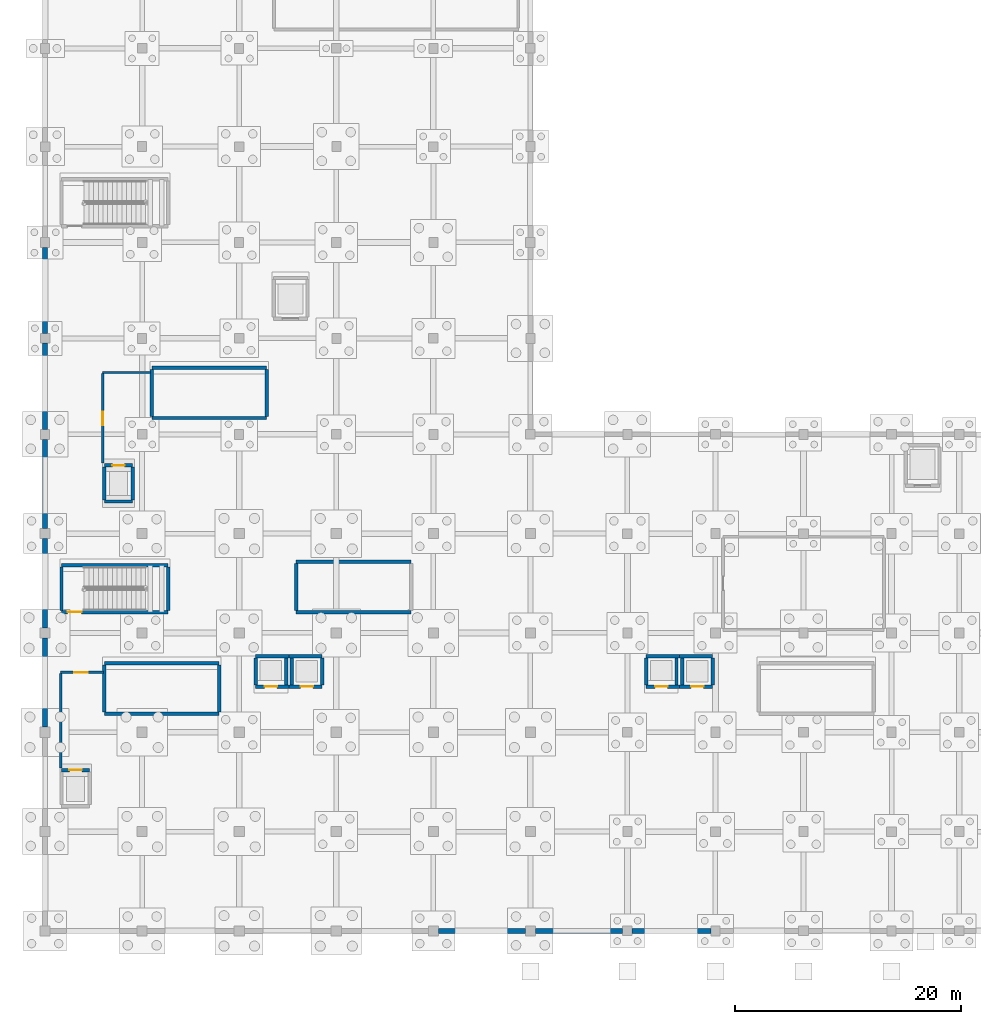
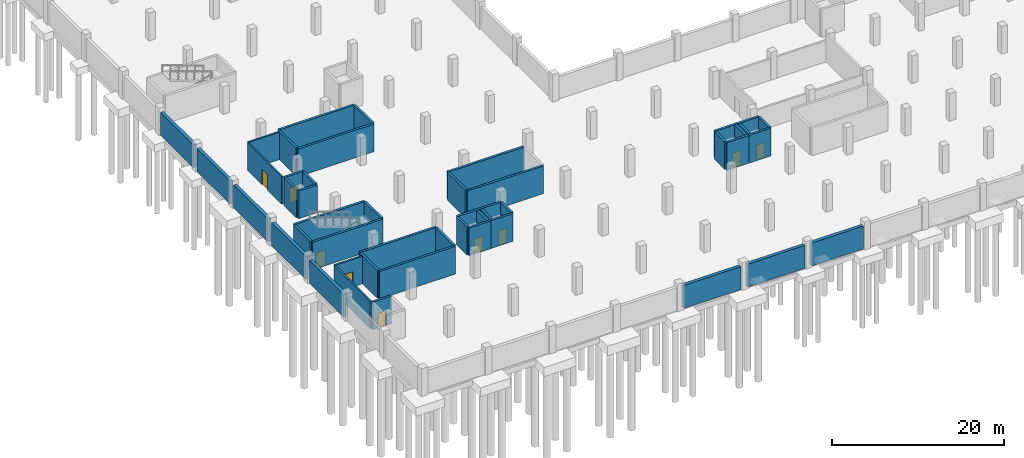
# One storey, part 14 of 28: 48 walls, 9 doors, 9 openings.
"""IFC4 building model written with IfcOpenShell, lengths in metres."""

import ifcopenshell
import ifcopenshell.guid

model = None  # the IFC model being written
_history = None  # IfcOwnerHistory: only IFC2X3 demands one
_inside = {}  # id of a spatial element -> (the spatial element, [elements in it])
_under = {}  # id of a project, library or spatial element -> (it, [spatial elements below it])
_declared = {}  # id of a project -> (the project, [libraries it declares])
_typed = {}  # id of a type object -> (the type object, [elements of that type])
_made_of = {}  # id of a material, layer set ... -> (it, [elements and type objects made of it])


def new_model(schema):
    """Start an empty IFC model of exactly this schema.

    Asked for "IFC4X3", IfcOpenShell would pick the latest addendum, in which some entities
    have other attributes; the version numbers below select the first issue.
    IFC2X3 requires an IfcOwnerHistory on every rooted entity: one is made here for all.
    """
    global model, _history
    if schema == "IFC4X3":
        model = ifcopenshell.file(schema_version=(4, 3, 0, 0))
    else:
        model = ifcopenshell.file(schema=schema)
    _inside.clear()
    _under.clear()
    _declared.clear()
    _typed.clear()
    _made_of.clear()
    _history = None
    if model.schema == "IFC2X3":
        org = make("IfcOrganization", Name="unknown")
        user = make(
            "IfcPersonAndOrganization",
            ThePerson=make("IfcPerson", FamilyName="unknown"),
            TheOrganization=org,
        )
        app = make(
            "IfcApplication",
            ApplicationDeveloper=org,
            Version="unknown",
            ApplicationFullName="unknown",
            ApplicationIdentifier="unknown",
        )
        _history = make(
            "IfcOwnerHistory",
            OwningUser=user,
            OwningApplication=app,
            ChangeAction="ADDED",
            CreationDate=0,
        )
    return model


def make(cls, **values):
    """One entity of the class cls with the attributes given. An attribute that is None is left unset."""
    return model.create_entity(
        cls, **{name: value for name, value in values.items() if value is not None}
    )


def rooted(cls, **values):
    """An entity with a GlobalId (a new one), such as an element, a storey or a relation."""
    return make(cls, GlobalId=ifcopenshell.guid.new(), OwnerHistory=_history, **values)


def si_unit(unit_type, name, prefix=None):
    """IfcSIUnit, for example si_unit("LENGTHUNIT", "METRE", prefix="MILLI")."""
    return make("IfcSIUnit", UnitType=unit_type, Prefix=prefix, Name=name)


def assignment(units):
    """IfcUnitAssignment: the units of a project."""
    return None if units is None else make("IfcUnitAssignment", Units=units)


def point(xyz):
    """IfcCartesianPoint."""
    return None if xyz is None else make("IfcCartesianPoint", Coordinates=xyz)


def direction(xyz):
    """IfcDirection."""
    return None if xyz is None else make("IfcDirection", DirectionRatios=xyz)


def frame(location, z_axis=None, x_axis=None):
    """IfcAxis2Placement3D, a coordinate frame: its origin and axes. An axis left out is left unset."""
    return make(
        "IfcAxis2Placement3D",
        Location=point(location),
        Axis=direction(z_axis),
        RefDirection=direction(x_axis),
    )


def frame_2d(location, x_axis=None):
    """IfcAxis2Placement2D, a coordinate frame in the plane: its origin and x axis."""
    return make(
        "IfcAxis2Placement2D", Location=point(location), RefDirection=direction(x_axis)
    )


def origin():
    """The frame at (0, 0, 0) with its axes left unset."""
    return frame((0.0, 0.0, 0.0))


def place(relative_to, where):
    """IfcLocalPlacement: puts the frame where relative to a parent placement (None: the world)."""
    return make(
        "IfcLocalPlacement", PlacementRelTo=relative_to, RelativePlacement=where
    )


def context(
    kind, dimensions, precision=None, world=None, true_north=None, identifier=None
):
    """IfcGeometricRepresentationContext, for example the 3D "Model" context."""
    return make(
        "IfcGeometricRepresentationContext",
        ContextIdentifier=identifier,
        ContextType=kind,
        CoordinateSpaceDimension=dimensions,
        Precision=precision,
        WorldCoordinateSystem=world,
        TrueNorth=true_north,
    )


def subcontext(parent, identifier, kind, view, scale=None):
    """IfcGeometricRepresentationSubContext, for example "Body" below "Model"."""
    return make(
        "IfcGeometricRepresentationSubContext",
        ContextIdentifier=identifier,
        ContextType=kind,
        ParentContext=parent,
        TargetScale=scale,
        TargetView=view,
    )


def project(units=None, contexts=None):
    """IfcProject with its units and contexts."""
    return rooted(
        "IfcProject",
        Name="project",
        RepresentationContexts=contexts,
        UnitsInContext=assignment(units),
    )


def spatial(cls, under=None, at=None, **own):
    """A site, building, storey or space (cls), placed at a placement, below another one or the project."""
    s = rooted(cls, ObjectPlacement=at, **own)
    if under is not None:
        _under.setdefault(under.id(), (under, []))[1].append(s)
    return s


def profile(cls, at=None, kind="AREA", **sizes):
    """A parametric profile (cls). Its sizes go by their IFC names, for example OverallWidth=200.0."""
    return make(cls, ProfileType=kind, Position=at, **sizes)


def rectangle(**sizes):
    """IfcRectangleProfileDef."""
    return profile("IfcRectangleProfileDef", **sizes)


def extrude(swept, where, along, depth):
    """IfcExtrudedAreaSolid: the profile swept, set in the frame where, extruded along a direction by depth."""
    return make(
        "IfcExtrudedAreaSolid",
        SweptArea=swept,
        Position=where,
        ExtrudedDirection=direction(along),
        Depth=depth,
    )


def shape(context_of_items, identifier, shape_type, items):
    """IfcShapeRepresentation: the items that make up one representation, for example the "Body"."""
    return make(
        "IfcShapeRepresentation",
        ContextOfItems=context_of_items,
        RepresentationIdentifier=identifier,
        RepresentationType=shape_type,
        Items=items,
    )


def material(Name=None, Category=None):
    """IfcMaterial."""
    return make("IfcMaterial", Name=Name, Category=Category)


def layer(
    of_material, thickness, ventilated=None, Name=None, Category=None, Priority=None
):
    """IfcMaterialLayer: one layer of a wall or slab, of a material (None: an air gap)."""
    return make(
        "IfcMaterialLayer",
        Material=of_material,
        LayerThickness=thickness,
        IsVentilated=ventilated,
        Name=Name,
        Category=Category,
        Priority=Priority,
    )


def layer_set(layers, Name=None):
    """IfcMaterialLayerSet."""
    return make("IfcMaterialLayerSet", MaterialLayers=layers, LayerSetName=Name)


def made_of(thing, what):
    """Note that an element or type object is made of a material, layer set ...; save() writes the relation."""
    if what is not None:
        _made_of.setdefault(what.id(), (what, []))[1].append(thing)
    return thing


def type_object(cls, material=None, **own):
    """A type object (cls), such as IfcWallType, which elements share."""
    return made_of(rooted(cls, **own), material)


def element(
    cls,
    number,
    at=None,
    inside=None,
    cuts=None,
    type_object=None,
    material=None,
    context=None,
    identifier="Body",
    shape_type=None,
    held_by="IfcProductDefinitionShape",
    body=None,
    shapes=None,
    **own,
):
    """One element of the class cls, such as IfcWall. Its Tag is "e" and its number.

    at: its placement. inside: the storey or other place that contains it. cuts: it is an
    opening in that element (IfcRelVoidsElement). A single representation is given by context,
    identifier, shape_type and body (its items); several are given by shapes. held_by: the class
    of the entity that holds the representations. save() writes the other relations.
    """
    e = rooted(cls, Tag="e%d" % number, ObjectPlacement=at, **own)
    if body is not None:
        shapes = [shape(context, identifier, shape_type, body)]
    if shapes is not None:
        e.Representation = make(held_by, Representations=shapes)
    if inside is not None:
        _inside.setdefault(inside.id(), (inside, []))[1].append(e)
    if cuts is not None:
        rooted(
            "IfcRelVoidsElement", RelatingBuildingElement=cuts, RelatedOpeningElement=e
        )
    if type_object is not None:
        _typed.setdefault(type_object.id(), (type_object, []))[1].append(e)
    return made_of(e, material)


def fill(opening, filler):
    """IfcRelFillsElement: the door or window that sits in an opening."""
    return rooted(
        "IfcRelFillsElement",
        RelatingOpeningElement=opening,
        RelatedBuildingElement=filler,
    )


def aggregate(whole, parts):
    """IfcRelAggregates: a whole, such as a stair, and the parts it consists of."""
    return rooted("IfcRelAggregates", RelatingObject=whole, RelatedObjects=parts)


def save(model, path):
    """Write the relations noted so far, then the file.

    IfcRelAggregates (storeys below a building ...), IfcRelContainedInSpatialStructure (elements
    in a storey), IfcRelDefinesByType, IfcRelAssociatesMaterial and IfcRelDeclares: one each for
    every whole, place, type object, material and project.
    """
    for whole, parts in _under.values():
        aggregate(whole, parts)
    for where, things in _inside.values():
        rooted(
            "IfcRelContainedInSpatialStructure",
            RelatedElements=things,
            RelatingStructure=where,
        )
    for kind, things in _typed.values():
        rooted("IfcRelDefinesByType", RelatedObjects=things, RelatingType=kind)
    for what, things in _made_of.values():
        rooted("IfcRelAssociatesMaterial", RelatedObjects=things, RelatingMaterial=what)
    for by, libraries in _declared.values():
        rooted("IfcRelDeclares", RelatingContext=by, RelatedDefinitions=libraries)
    model.write(path)


model = new_model("IFC4")

# Units and contexts
model_context = context("Model", 3, precision=1e-05, world=origin(), true_north=direction((0.0, 1.0)))
body_context = subcontext(model_context, "Body", "Model", "MODEL_VIEW")
ifc_project = project(units=[si_unit("LENGTHUNIT", "METRE"), si_unit("AREAUNIT", "SQUARE_METRE"), si_unit("VOLUMEUNIT", "CUBIC_METRE"), si_unit("PLANEANGLEUNIT", "RADIAN"), si_unit("MASSUNIT", "GRAM", prefix="KILO")], contexts=[model_context])

# Site, building, storey
site_placement = place(None, origin())
site = spatial("IfcSite", under=ifc_project, at=site_placement, CompositionType="ELEMENT")
building_placement = place(site_placement, origin())
building = spatial("IfcBuilding", under=site, at=building_placement, Name="Varnakota Cinema and Media Centre", CompositionType="ELEMENT")
storey_placement = place(building_placement, frame((0.0, 0.0, -4.199951171875)))
storey = spatial("IfcBuildingStorey", under=building, at=storey_placement, Name="B1", CompositionType="ELEMENT", Elevation=-4.199951171875)

# Wall
ifc_material_1 = material(Name="Autoclaved aerated concrete blockwork", Category="masonry")
ifc_layer_1 = layer(ifc_material_1, 0.22998046875)
ifc_layer_set_1 = layer_set([ifc_layer_1], Name="Autoclaved aerated concrete blockwork")
wall_type_1 = type_object("IfcWallType", Name="W-BOX-230", PredefinedType="PARTITIONING", material=ifc_layer_set_1)
wall_1_placement = place(storey_placement, frame((1.385009765625, 14.449951171875, 0.0), z_axis=(0.0, 0.0, 1.0), x_axis=(0.0, 1.0, 0.0)))
element("IfcWall", 1, at=wall_1_placement, inside=storey, type_object=wall_type_1, Name="B1 RWALL-RM-B1-FF-1 W wall", PredefinedType="PARTITIONING", context=body_context, shape_type="SweptSolid", body=[
    extrude(rectangle(XDim=8.35009765625, YDim=0.22998046875, at=frame_2d((4.175048828125, 0.0))), origin(), (0.0, 0.0, 1.0), 3.89990234375),
])

# Wall, opening, door
wall_2_placement = place(storey_placement, frame((1.385009765625, 22.9150390625, 0.0), z_axis=(0.0, 0.0, 1.0), x_axis=(1.0, 0.0, 0.0)))
wall_2 = element("IfcWall", 2, at=wall_2_placement, inside=storey, type_object=wall_type_1, Name="B1 RWALL-RM-B1-FF-1 N wall", PredefinedType="PARTITIONING", context=body_context, shape_type="SweptSolid", body=[
    extrude(rectangle(XDim=3.780029296875, YDim=0.22998046875, at=frame_2d((1.89013671875, 0.0))), origin(), (0.0, 0.0, 1.0), 3.89990234375),
])
opening_1_placement = place(wall_2_placement, frame((1.215087890625, 0.0, 0.0)))
opening_1 = element("IfcOpeningElement", 3, at=opening_1_placement, cuts=wall_2, Name="Opening D-001", PredefinedType="OPENING", context=body_context, shape_type="SweptSolid", body=[
    extrude(rectangle(XDim=1.199951171875, YDim=2.14990234375, at=frame_2d((0.60009765625, 1.074951171875))), frame((0.0, 0.114990234375, 0.0), z_axis=(0.0, -1.0, 0.0), x_axis=(1.0, 0.0, 0.0)), (0.0, 0.0, 1.0), 0.22998046875),
])
ifc_material_2 = material(Name="Thermally broken anodised aluminium AW-6063", Category="aluminium")
door_type_1 = type_object("IfcDoorType", Name="DR-STD-1200x2150", OperationType="NOTDEFINED", PredefinedType="DOOR", material=ifc_material_2)
door_1_placement = place(opening_1_placement, origin())
door_1 = element("IfcDoor", 4, at=door_1_placement, inside=storey, type_object=door_type_1, Name="B1 door D-001", OperationType="SINGLE_SWING_LEFT", OverallHeight=2.14990234375, OverallWidth=1.199951171875, PredefinedType="DOOR", context=body_context, shape_type="SweptSolid", body=[
    extrude(rectangle(XDim=1.199951171875, YDim=2.14990234375, at=frame_2d((0.60009765625, 1.074951171875))), frame((0.0, 0.02490234375, 0.0), z_axis=(0.0, -1.0, 0.0), x_axis=(1.0, 0.0, 0.0)), (0.0, 0.0, 1.0), 0.050048828125),
])
fill(opening_1, door_1)

# Walls
ifc_material_3 = material(Name="Concrete M40", Category="concrete")
ifc_layer_2 = layer(ifc_material_3, 0.300048828125)
ifc_layer_set_2 = layer_set([ifc_layer_2], Name="Concrete M40")
wall_type_2 = type_object("IfcWallType", Name="W-CORE-300", PredefinedType="SHEAR", material=ifc_layer_set_2)
wall_3_placement = place(storey_placement, frame((15.429931640625, 19.25, 0.0), z_axis=(0.0, 0.0, 1.0), x_axis=(-1.0, 0.0, 0.0)))
element("IfcWall", 5, at=wall_3_placement, inside=storey, type_object=wall_type_2, Name="B1 CWALL-ST-01-B1 S wall", PredefinedType="SHEAR", context=body_context, shape_type="SweptSolid", body=[
    extrude(rectangle(XDim=10.179931640625, YDim=0.300048828125, at=frame_2d((5.08984375, 0.0))), origin(), (0.0, 0.0, 1.0), 3.919921875),
])
wall_4_placement = place(storey_placement, frame((5.25, 19.39990234375, 0.0), z_axis=(0.0, 0.0, 1.0), x_axis=(0.0, 1.0, 0.0)))
element("IfcWall", 6, at=wall_4_placement, inside=storey, type_object=wall_type_2, Name="B1 CWALL-ST-01-B1 W wall", PredefinedType="SHEAR", context=body_context, shape_type="SweptSolid", body=[
    extrude(rectangle(XDim=4.150146484375, YDim=0.300048828125, at=frame_2d((2.0751953125, 0.0))), origin(), (0.0, 0.0, 1.0), 3.919921875),
])
wall_5_placement = place(storey_placement, frame((5.25, 23.699951171875, 0.0), z_axis=(0.0, 0.0, 1.0), x_axis=(1.0, 0.0, 0.0)))
element("IfcWall", 7, at=wall_5_placement, inside=storey, type_object=wall_type_2, Name="B1 CWALL-ST-01-B1 N wall", PredefinedType="SHEAR", context=body_context, shape_type="SweptSolid", body=[
    extrude(rectangle(XDim=10.179931640625, YDim=0.300048828125, at=frame_2d((5.08984375, 0.0))), origin(), (0.0, 0.0, 1.0), 3.919921875),
])
wall_6_placement = place(storey_placement, frame((15.429931640625, 23.550048828125, 0.0), z_axis=(0.0, 0.0, 1.0), x_axis=(0.0, -1.0, 0.0)))
element("IfcWall", 8, at=wall_6_placement, inside=storey, type_object=wall_type_2, Name="B1 CWALL-ST-01-B1 E wall", PredefinedType="SHEAR", context=body_context, shape_type="SweptSolid", body=[
    extrude(rectangle(XDim=4.150146484375, YDim=0.300048828125, at=frame_2d((2.0751953125, 0.0))), origin(), (0.0, 0.0, 1.0), 3.919921875),
])
wall_7_placement = place(storey_placement, frame((32.429931640625, 28.25, 0.0), z_axis=(0.0, 0.0, 1.0), x_axis=(-1.0, 0.0, 0.0)))
element("IfcWall", 9, at=wall_7_placement, inside=storey, type_object=wall_type_2, Name="B1 CWALL-ST-02-B1 S wall", PredefinedType="SHEAR", context=body_context, shape_type="SweptSolid", body=[
    extrude(rectangle(XDim=10.179931640625, YDim=0.300048828125, at=frame_2d((5.08984375, 0.0))), origin(), (0.0, 0.0, 1.0), 3.919921875),
])
wall_8_placement = place(storey_placement, frame((22.25, 28.39990234375, 0.0), z_axis=(0.0, 0.0, 1.0), x_axis=(0.0, 1.0, 0.0)))
element("IfcWall", 10, at=wall_8_placement, inside=storey, type_object=wall_type_2, Name="B1 CWALL-ST-02-B1 W wall", PredefinedType="SHEAR", context=body_context, shape_type="SweptSolid", body=[
    extrude(rectangle(XDim=4.150146484375, YDim=0.300048828125, at=frame_2d((2.0751953125, 0.0))), origin(), (0.0, 0.0, 1.0), 3.919921875),
])
for number, where, z_axis, x_axis, name in (
    (11, (22.25, 32.699951171875, 0.0), (0.0, 0.0, 1.0), (1.0, 0.0, 0.0), "B1 CWALL-ST-02-B1 N wall"),
    (12, (19.6298828125, 45.449951171875, 0.0), (0.0, 0.0, 1.0), (-1.0, 0.0, 0.0), "B1 CWALL-ST-03-B1 S wall"),
):
    element("IfcWall", number, at=place(storey_placement, frame(where, z_axis=z_axis, x_axis=x_axis)), inside=storey, type_object=wall_type_2, Name=name, PredefinedType="SHEAR", context=body_context, shape_type="SweptSolid", body=[
        extrude(rectangle(XDim=10.179931640625, YDim=0.300048828125, at=frame_2d((5.08984375, 0.0))), origin(), (0.0, 0.0, 1.0), 3.919921875),
    ])
wall_9_placement = place(storey_placement, frame((9.449951171875, 45.60009765625, 0.0), z_axis=(0.0, 0.0, 1.0), x_axis=(0.0, 1.0, 0.0)))
element("IfcWall", 13, at=wall_9_placement, inside=storey, type_object=wall_type_2, Name="B1 CWALL-ST-03-B1 W wall", PredefinedType="SHEAR", context=body_context, shape_type="SweptSolid", body=[
    extrude(rectangle(XDim=4.14990234375, YDim=0.300048828125, at=frame_2d((2.074951171875, 0.0))), origin(), (0.0, 0.0, 1.0), 3.919921875),
])
wall_10_placement = place(storey_placement, frame((9.449951171875, 49.89990234375, 0.0), z_axis=(0.0, 0.0, 1.0), x_axis=(1.0, 0.0, 0.0)))
element("IfcWall", 14, at=wall_10_placement, inside=storey, type_object=wall_type_2, Name="B1 CWALL-ST-03-B1 N wall", PredefinedType="SHEAR", context=body_context, shape_type="SweptSolid", body=[
    extrude(rectangle(XDim=10.179931640625, YDim=0.300048828125, at=frame_2d((5.08984375, 0.0))), origin(), (0.0, 0.0, 1.0), 3.919921875),
])
wall_11_placement = place(storey_placement, frame((19.6298828125, 49.75, 0.0), z_axis=(0.0, 0.0, 1.0), x_axis=(0.0, -1.0, 0.0)))
element("IfcWall", 15, at=wall_11_placement, inside=storey, type_object=wall_type_2, Name="B1 CWALL-ST-03-B1 E wall", PredefinedType="SHEAR", context=body_context, shape_type="SweptSolid", body=[
    extrude(rectangle(XDim=4.14990234375, YDim=0.300048828125, at=frame_2d((2.074951171875, 0.0))), origin(), (0.0, 0.0, 1.0), 3.919921875),
])

# Wall, opening, door
wall_12_placement = place(storey_placement, frame((10.909912109375, 28.25, 0.0), z_axis=(0.0, 0.0, 1.0), x_axis=(-1.0, 0.0, 0.0)))
wall_12 = element("IfcWall", 16, at=wall_12_placement, inside=storey, type_object=wall_type_2, Name="B1 CWALL-ST-B1-B1 S wall", PredefinedType="SHEAR", context=body_context, shape_type="SweptSolid", body=[
    extrude(rectangle(XDim=9.4599609375, YDim=0.300048828125, at=frame_2d((4.72998046875, 0.0))), origin(), (0.0, 0.0, 1.0), 3.919921875),
])
opening_2_placement = place(wall_12_placement, frame((7.66748046875, 0.0, 0.0)))
opening_2 = element("IfcOpeningElement", 17, at=opening_2_placement, cuts=wall_12, Name="Opening SD-B1", PredefinedType="OPENING", context=body_context, shape_type="SweptSolid", body=[
    extrude(rectangle(XDim=1.25, YDim=2.14990234375, at=frame_2d((0.625, 1.074951171875))), frame((0.0, 0.14990234375, 0.0), z_axis=(0.0, -1.0, 0.0), x_axis=(1.0, 0.0, 0.0)), (0.0, 0.0, 1.0), 0.300048828125),
])
ifc_material_4 = material(Name="Thermally broken anodised aluminium AW-6063", Category="aluminium")
door_type_2 = type_object("IfcDoorType", Name="DR-STAIR-1250x2150", OperationType="NOTDEFINED", PredefinedType="DOOR", material=ifc_material_4)
door_2_placement = place(opening_2_placement, origin())
door_2 = element("IfcDoor", 18, at=door_2_placement, inside=storey, type_object=door_type_2, Name="B1 door SD-B1", OperationType="SINGLE_SWING_RIGHT", OverallHeight=2.14990234375, OverallWidth=1.25, PredefinedType="DOOR", context=body_context, shape_type="SweptSolid", body=[
    extrude(rectangle(XDim=1.25, YDim=2.14990234375, at=frame_2d((0.625, 1.074951171875))), frame((0.0, 0.02490234375, 0.0), z_axis=(0.0, -1.0, 0.0), x_axis=(1.0, 0.0, 0.0)), (0.0, 0.0, 1.0), 0.050048828125),
])
fill(opening_2, door_2)

# Walls
wall_13_placement = place(storey_placement, frame((1.449951171875, 28.39990234375, 0.0), z_axis=(0.0, 0.0, 1.0), x_axis=(0.0, 1.0, 0.0)))
element("IfcWall", 19, at=wall_13_placement, inside=storey, type_object=wall_type_2, Name="B1 CWALL-ST-B1-B1 W wall", PredefinedType="SHEAR", context=body_context, shape_type="SweptSolid", body=[
    extrude(rectangle(XDim=3.85009765625, YDim=0.300048828125, at=frame_2d((1.925048828125, 0.0))), origin(), (0.0, 0.0, 1.0), 3.919921875),
])
wall_14_placement = place(storey_placement, frame((1.449951171875, 32.39990234375, 0.0), z_axis=(0.0, 0.0, 1.0), x_axis=(1.0, 0.0, 0.0)))
element("IfcWall", 20, at=wall_14_placement, inside=storey, type_object=wall_type_2, Name="B1 CWALL-ST-B1-B1 N wall", PredefinedType="SHEAR", context=body_context, shape_type="SweptSolid", body=[
    extrude(rectangle(XDim=9.4599609375, YDim=0.300048828125, at=frame_2d((4.72998046875, 0.0))), origin(), (0.0, 0.0, 1.0), 3.919921875),
])
wall_15_placement = place(storey_placement, frame((10.909912109375, 32.25, 0.0), z_axis=(0.0, 0.0, 1.0), x_axis=(0.0, -1.0, 0.0)))
element("IfcWall", 21, at=wall_15_placement, inside=storey, type_object=wall_type_2, Name="B1 CWALL-ST-B1-B1 E wall", PredefinedType="SHEAR", context=body_context, shape_type="SweptSolid", body=[
    extrude(rectangle(XDim=3.85009765625, YDim=0.300048828125, at=frame_2d((1.925048828125, 0.0))), origin(), (0.0, 0.0, 1.0), 3.919921875),
])

# Wall, opening, door
wall_16_placement = place(storey_placement, frame((1.449951171875, 14.25, 0.0), z_axis=(0.0, 0.0, 1.0), x_axis=(1.0, 0.0, 0.0)))
wall_16 = element("IfcWall", 22, at=wall_16_placement, inside=storey, type_object=wall_type_2, Name="B1 LSHAFT-LF-01-B1 N wall", PredefinedType="SHEAR", context=body_context, shape_type="SweptSolid", body=[
    extrude(rectangle(XDim=2.5, YDim=0.300048828125, at=frame_2d((1.25, 0.0))), origin(), (0.0, 0.0, 1.0), 3.919921875),
])
opening_3_placement = place(wall_16_placement, frame((0.699951171875, 0.0, 0.0)))
opening_3 = element("IfcOpeningElement", 23, at=opening_3_placement, cuts=wall_16, Name="Opening LD-01", PredefinedType="OPENING", context=body_context, shape_type="SweptSolid", body=[
    extrude(rectangle(XDim=1.10009765625, YDim=2.10009765625, at=frame_2d((0.550048828125, 1.050048828125))), frame((0.0, 0.14990234375, 0.0), z_axis=(0.0, -1.0, 0.0), x_axis=(1.0, 0.0, 0.0)), (0.0, 0.0, 1.0), 0.300048828125),
])
ifc_material_5 = material(Name="Thermally broken anodised aluminium AW-6063", Category="aluminium")
door_type_3 = type_object("IfcDoorType", Name="DR-LIFT-1100x2100", OperationType="SLIDING_TO_LEFT", PredefinedType="DOOR", material=ifc_material_5)
door_3_placement = place(opening_3_placement, origin())
door_3 = element("IfcDoor", 24, at=door_3_placement, inside=storey, type_object=door_type_3, Name="B1 door LD-01", OperationType="SLIDING_TO_LEFT", OverallHeight=2.10009765625, OverallWidth=1.10009765625, PredefinedType="DOOR", context=body_context, shape_type="SweptSolid", body=[
    extrude(rectangle(XDim=1.10009765625, YDim=2.10009765625, at=frame_2d((0.550048828125, 1.050048828125))), frame((0.0, 0.02490234375, 0.0), z_axis=(0.0, -1.0, 0.0), x_axis=(1.0, 0.0, 0.0)), (0.0, 0.0, 1.0), 0.050048828125),
])
fill(opening_3, door_3)

# Walls
wall_17_placement = place(storey_placement, frame((7.75, 38.050048828125, 0.0), z_axis=(0.0, 0.0, 1.0), x_axis=(-1.0, 0.0, 0.0)))
element("IfcWall", 25, at=wall_17_placement, inside=storey, type_object=wall_type_2, Name="B1 LSHAFT-LF-02-B1 S wall", PredefinedType="SHEAR", context=body_context, shape_type="SweptSolid", body=[
    extrude(rectangle(XDim=2.5, YDim=0.300048828125, at=frame_2d((1.25, 0.0))), origin(), (0.0, 0.0, 1.0), 3.919921875),
])
wall_18_placement = place(storey_placement, frame((5.25, 38.199951171875, 0.0), z_axis=(0.0, 0.0, 1.0), x_axis=(0.0, 1.0, 0.0)))
element("IfcWall", 26, at=wall_18_placement, inside=storey, type_object=wall_type_2, Name="B1 LSHAFT-LF-02-B1 W wall", PredefinedType="SHEAR", context=body_context, shape_type="SweptSolid", body=[
    extrude(rectangle(XDim=2.900146484375, YDim=0.300048828125, at=frame_2d((1.4501953125, 0.0))), origin(), (0.0, 0.0, 1.0), 3.919921875),
])

# Wall, opening, door
wall_19_placement = place(storey_placement, frame((5.25, 41.25, 0.0), z_axis=(0.0, 0.0, 1.0), x_axis=(1.0, 0.0, 0.0)))
wall_19 = element("IfcWall", 27, at=wall_19_placement, inside=storey, type_object=wall_type_2, Name="B1 LSHAFT-LF-02-B1 N wall", PredefinedType="SHEAR", context=body_context, shape_type="SweptSolid", body=[
    extrude(rectangle(XDim=2.5, YDim=0.300048828125, at=frame_2d((1.25, 0.0))), origin(), (0.0, 0.0, 1.0), 3.919921875),
])
opening_4_placement = place(wall_19_placement, frame((0.699951171875, 0.0, 0.0)))
opening_4 = element("IfcOpeningElement", 28, at=opening_4_placement, cuts=wall_19, Name="Opening LD-02", PredefinedType="OPENING", context=body_context, shape_type="SweptSolid", body=[
    extrude(rectangle(XDim=1.10009765625, YDim=2.10009765625, at=frame_2d((0.550048828125, 1.050048828125))), frame((0.0, 0.14990234375, 0.0), z_axis=(0.0, -1.0, 0.0), x_axis=(1.0, 0.0, 0.0)), (0.0, 0.0, 1.0), 0.300048828125),
])
door_4_placement = place(opening_4_placement, origin())
door_4 = element("IfcDoor", 29, at=door_4_placement, inside=storey, type_object=door_type_3, Name="B1 door LD-02", OperationType="SLIDING_TO_LEFT", OverallHeight=2.10009765625, OverallWidth=1.10009765625, PredefinedType="DOOR", context=body_context, shape_type="SweptSolid", body=[
    extrude(rectangle(XDim=1.10009765625, YDim=2.10009765625, at=frame_2d((0.550048828125, 1.050048828125))), frame((0.0, 0.02490234375, 0.0), z_axis=(0.0, -1.0, 0.0), x_axis=(1.0, 0.0, 0.0)), (0.0, 0.0, 1.0), 0.050048828125),
])
fill(opening_4, door_4)

# Wall
wall_20_placement = place(storey_placement, frame((7.75, 41.10009765625, 0.0), z_axis=(0.0, 0.0, 1.0), x_axis=(0.0, -1.0, 0.0)))
element("IfcWall", 30, at=wall_20_placement, inside=storey, type_object=wall_type_2, Name="B1 LSHAFT-LF-02-B1 E wall", PredefinedType="SHEAR", context=body_context, shape_type="SweptSolid", body=[
    extrude(rectangle(XDim=2.900146484375, YDim=0.300048828125, at=frame_2d((1.4501953125, 0.0))), origin(), (0.0, 0.0, 1.0), 3.919921875),
])

# Wall, opening, door
wall_21_placement = place(storey_placement, frame((21.60009765625, 21.64990234375, 0.0), z_axis=(0.0, 0.0, 1.0), x_axis=(-1.0, 0.0, 0.0)))
wall_21 = element("IfcWall", 31, at=wall_21_placement, inside=storey, type_object=wall_type_2, Name="B1 LSHAFT-LF-03-B1 S wall", PredefinedType="SHEAR", context=body_context, shape_type="SweptSolid", body=[
    extrude(rectangle(XDim=2.9501953125, YDim=0.300048828125, at=frame_2d((1.47509765625, 0.0))), origin(), (0.0, 0.0, 1.0), 3.919921875),
])
opening_5_placement = place(wall_21_placement, frame((1.050048828125, 0.0, 0.0)))
opening_5 = element("IfcOpeningElement", 32, at=opening_5_placement, cuts=wall_21, Name="Opening LD-03", PredefinedType="OPENING", context=body_context, shape_type="SweptSolid", body=[
    extrude(rectangle(XDim=1.10009765625, YDim=2.10009765625, at=frame_2d((0.550048828125, 1.050048828125))), frame((0.0, 0.14990234375, 0.0), z_axis=(0.0, -1.0, 0.0), x_axis=(1.0, 0.0, 0.0)), (0.0, 0.0, 1.0), 0.300048828125),
])
door_5_placement = place(opening_5_placement, origin())
door_5 = element("IfcDoor", 33, at=door_5_placement, inside=storey, type_object=door_type_3, Name="B1 door LD-03", OperationType="SLIDING_TO_LEFT", OverallHeight=2.10009765625, OverallWidth=1.10009765625, PredefinedType="DOOR", context=body_context, shape_type="SweptSolid", body=[
    extrude(rectangle(XDim=1.10009765625, YDim=2.10009765625, at=frame_2d((0.550048828125, 1.050048828125))), frame((0.0, 0.02490234375, 0.0), z_axis=(0.0, -1.0, 0.0), x_axis=(1.0, 0.0, 0.0)), (0.0, 0.0, 1.0), 0.050048828125),
])
fill(opening_5, door_5)

# Walls
wall_22_placement = place(storey_placement, frame((18.64990234375, 21.800048828125, 0.0), z_axis=(0.0, 0.0, 1.0), x_axis=(0.0, 1.0, 0.0)))
element("IfcWall", 34, at=wall_22_placement, inside=storey, type_object=wall_type_2, Name="B1 LSHAFT-LF-03-B1 W wall", PredefinedType="SHEAR", context=body_context, shape_type="SweptSolid", body=[
    extrude(rectangle(XDim=2.39990234375, YDim=0.300048828125, at=frame_2d((1.199951171875, 0.0))), origin(), (0.0, 0.0, 1.0), 3.919921875),
])
wall_23_placement = place(storey_placement, frame((18.64990234375, 24.35009765625, 0.0), z_axis=(0.0, 0.0, 1.0), x_axis=(1.0, 0.0, 0.0)))
element("IfcWall", 35, at=wall_23_placement, inside=storey, type_object=wall_type_2, Name="B1 LSHAFT-LF-03-B1 N wall", PredefinedType="SHEAR", context=body_context, shape_type="SweptSolid", body=[
    extrude(rectangle(XDim=2.9501953125, YDim=0.300048828125, at=frame_2d((1.47509765625, 0.0))), origin(), (0.0, 0.0, 1.0), 3.919921875),
])
wall_24_placement = place(storey_placement, frame((21.35009765625, 24.199951171875, 0.0), z_axis=(0.0, 0.0, 1.0), x_axis=(0.0, -1.0, 0.0)))
element("IfcWall", 36, at=wall_24_placement, inside=storey, type_object=wall_type_2, Name="B1 LSHAFT-LF-03-B1 E wall", PredefinedType="SHEAR", context=body_context, shape_type="SweptSolid", body=[
    extrude(rectangle(XDim=2.39990234375, YDim=0.300048828125, at=frame_2d((1.199951171875, 0.0))), origin(), (0.0, 0.0, 1.0), 3.919921875),
])

# Wall, opening, door
wall_25_placement = place(storey_placement, frame((24.550048828125, 21.64990234375, 0.0), z_axis=(0.0, 0.0, 1.0), x_axis=(-1.0, 0.0, 0.0)))
wall_25 = element("IfcWall", 37, at=wall_25_placement, inside=storey, type_object=wall_type_2, Name="B1 LSHAFT-LF-04-B1 S wall", PredefinedType="SHEAR", context=body_context, shape_type="SweptSolid", body=[
    extrude(rectangle(XDim=2.949951171875, YDim=0.300048828125, at=frame_2d((1.47509765625, 0.0))), origin(), (0.0, 0.0, 1.0), 3.919921875),
])
opening_6_placement = place(wall_25_placement, frame((0.800048828125, 0.0, 0.0)))
opening_6 = element("IfcOpeningElement", 38, at=opening_6_placement, cuts=wall_25, Name="Opening LD-04", PredefinedType="OPENING", context=body_context, shape_type="SweptSolid", body=[
    extrude(rectangle(XDim=1.10009765625, YDim=2.10009765625, at=frame_2d((0.550048828125, 1.050048828125))), frame((0.0, 0.14990234375, 0.0), z_axis=(0.0, -1.0, 0.0), x_axis=(1.0, 0.0, 0.0)), (0.0, 0.0, 1.0), 0.300048828125),
])
door_6_placement = place(opening_6_placement, origin())
door_6 = element("IfcDoor", 39, at=door_6_placement, inside=storey, type_object=door_type_3, Name="B1 door LD-04", OperationType="SLIDING_TO_LEFT", OverallHeight=2.10009765625, OverallWidth=1.10009765625, PredefinedType="DOOR", context=body_context, shape_type="SweptSolid", body=[
    extrude(rectangle(XDim=1.10009765625, YDim=2.10009765625, at=frame_2d((0.550048828125, 1.050048828125))), frame((0.0, 0.02490234375, 0.0), z_axis=(0.0, -1.0, 0.0), x_axis=(1.0, 0.0, 0.0)), (0.0, 0.0, 1.0), 0.050048828125),
])
fill(opening_6, door_6)

# Walls
wall_26_placement = place(storey_placement, frame((21.85009765625, 21.800048828125, 0.0), z_axis=(0.0, 0.0, 1.0), x_axis=(0.0, 1.0, 0.0)))
element("IfcWall", 40, at=wall_26_placement, inside=storey, type_object=wall_type_2, Name="B1 LSHAFT-LF-04-B1 W wall", PredefinedType="SHEAR", context=body_context, shape_type="SweptSolid", body=[
    extrude(rectangle(XDim=2.39990234375, YDim=0.300048828125, at=frame_2d((1.199951171875, 0.0))), origin(), (0.0, 0.0, 1.0), 3.919921875),
])
wall_27_placement = place(storey_placement, frame((21.60009765625, 24.35009765625, 0.0), z_axis=(0.0, 0.0, 1.0), x_axis=(1.0, 0.0, 0.0)))
element("IfcWall", 41, at=wall_27_placement, inside=storey, type_object=wall_type_2, Name="B1 LSHAFT-LF-04-B1 N wall", PredefinedType="SHEAR", context=body_context, shape_type="SweptSolid", body=[
    extrude(rectangle(XDim=2.949951171875, YDim=0.300048828125, at=frame_2d((1.47509765625, 0.0))), origin(), (0.0, 0.0, 1.0), 3.919921875),
])
wall_28_placement = place(storey_placement, frame((24.550048828125, 24.199951171875, 0.0), z_axis=(0.0, 0.0, 1.0), x_axis=(0.0, -1.0, 0.0)))
element("IfcWall", 42, at=wall_28_placement, inside=storey, type_object=wall_type_2, Name="B1 LSHAFT-LF-04-B1 E wall", PredefinedType="SHEAR", context=body_context, shape_type="SweptSolid", body=[
    extrude(rectangle(XDim=2.39990234375, YDim=0.300048828125, at=frame_2d((1.199951171875, 0.0))), origin(), (0.0, 0.0, 1.0), 3.919921875),
])

# Wall, opening, door
wall_29_placement = place(storey_placement, frame((56.199951171875, 21.64990234375, 0.0), z_axis=(0.0, 0.0, 1.0), x_axis=(-1.0, 0.0, 0.0)))
wall_29 = element("IfcWall", 43, at=wall_29_placement, inside=storey, type_object=wall_type_2, Name="B1 LSHAFT-LF-05-B1 S wall", PredefinedType="SHEAR", context=body_context, shape_type="SweptSolid", body=[
    extrude(rectangle(XDim=2.949951171875, YDim=0.300048828125, at=frame_2d((1.47509765625, 0.0))), origin(), (0.0, 0.0, 1.0), 3.919921875),
])
opening_7_placement = place(wall_29_placement, frame((1.050048828125, 0.0, 0.0)))
opening_7 = element("IfcOpeningElement", 44, at=opening_7_placement, cuts=wall_29, Name="Opening LD-05", PredefinedType="OPENING", context=body_context, shape_type="SweptSolid", body=[
    extrude(rectangle(XDim=1.10009765625, YDim=2.10009765625, at=frame_2d((0.550048828125, 1.050048828125))), frame((0.0, 0.14990234375, 0.0), z_axis=(0.0, -1.0, 0.0), x_axis=(1.0, 0.0, 0.0)), (0.0, 0.0, 1.0), 0.300048828125),
])
door_7_placement = place(opening_7_placement, origin())
door_7 = element("IfcDoor", 45, at=door_7_placement, inside=storey, type_object=door_type_3, Name="B1 door LD-05", OperationType="SLIDING_TO_LEFT", OverallHeight=2.10009765625, OverallWidth=1.10009765625, PredefinedType="DOOR", context=body_context, shape_type="SweptSolid", body=[
    extrude(rectangle(XDim=1.10009765625, YDim=2.10009765625, at=frame_2d((0.550048828125, 1.050048828125))), frame((0.0, 0.02490234375, 0.0), z_axis=(0.0, -1.0, 0.0), x_axis=(1.0, 0.0, 0.0)), (0.0, 0.0, 1.0), 0.050048828125),
])
fill(opening_7, door_7)

# Walls
wall_30_placement = place(storey_placement, frame((53.25, 21.800048828125, 0.0), z_axis=(0.0, 0.0, 1.0), x_axis=(0.0, 1.0, 0.0)))
element("IfcWall", 46, at=wall_30_placement, inside=storey, type_object=wall_type_2, Name="B1 LSHAFT-LF-05-B1 W wall", PredefinedType="SHEAR", context=body_context, shape_type="SweptSolid", body=[
    extrude(rectangle(XDim=2.39990234375, YDim=0.300048828125, at=frame_2d((1.199951171875, 0.0))), origin(), (0.0, 0.0, 1.0), 3.919921875),
])
wall_31_placement = place(storey_placement, frame((53.25, 24.35009765625, 0.0), z_axis=(0.0, 0.0, 1.0), x_axis=(1.0, 0.0, 0.0)))
element("IfcWall", 47, at=wall_31_placement, inside=storey, type_object=wall_type_2, Name="B1 LSHAFT-LF-05-B1 N wall", PredefinedType="SHEAR", context=body_context, shape_type="SweptSolid", body=[
    extrude(rectangle(XDim=2.949951171875, YDim=0.300048828125, at=frame_2d((1.47509765625, 0.0))), origin(), (0.0, 0.0, 1.0), 3.919921875),
])
wall_32_placement = place(storey_placement, frame((55.949951171875, 24.199951171875, 0.0), z_axis=(0.0, 0.0, 1.0), x_axis=(0.0, -1.0, 0.0)))
element("IfcWall", 48, at=wall_32_placement, inside=storey, type_object=wall_type_2, Name="B1 LSHAFT-LF-05-B1 E wall", PredefinedType="SHEAR", context=body_context, shape_type="SweptSolid", body=[
    extrude(rectangle(XDim=2.39990234375, YDim=0.300048828125, at=frame_2d((1.199951171875, 0.0))), origin(), (0.0, 0.0, 1.0), 3.919921875),
])

# Wall, opening, door
wall_33_placement = place(storey_placement, frame((59.14990234375, 21.64990234375, 0.0), z_axis=(0.0, 0.0, 1.0), x_axis=(-1.0, 0.0, 0.0)))
wall_33 = element("IfcWall", 49, at=wall_33_placement, inside=storey, type_object=wall_type_2, Name="B1 LSHAFT-LF-06-B1 S wall", PredefinedType="SHEAR", context=body_context, shape_type="SweptSolid", body=[
    extrude(rectangle(XDim=2.949951171875, YDim=0.300048828125, at=frame_2d((1.47509765625, 0.0))), origin(), (0.0, 0.0, 1.0), 3.919921875),
])
opening_8_placement = place(wall_33_placement, frame((0.800048828125, 0.0, 0.0)))
opening_8 = element("IfcOpeningElement", 50, at=opening_8_placement, cuts=wall_33, Name="Opening LD-06", PredefinedType="OPENING", context=body_context, shape_type="SweptSolid", body=[
    extrude(rectangle(XDim=1.10009765625, YDim=2.10009765625, at=frame_2d((0.550048828125, 1.050048828125))), frame((0.0, 0.14990234375, 0.0), z_axis=(0.0, -1.0, 0.0), x_axis=(1.0, 0.0, 0.0)), (0.0, 0.0, 1.0), 0.300048828125),
])
door_8_placement = place(opening_8_placement, origin())
door_8 = element("IfcDoor", 51, at=door_8_placement, inside=storey, type_object=door_type_3, Name="B1 door LD-06", OperationType="SLIDING_TO_LEFT", OverallHeight=2.10009765625, OverallWidth=1.10009765625, PredefinedType="DOOR", context=body_context, shape_type="SweptSolid", body=[
    extrude(rectangle(XDim=1.10009765625, YDim=2.10009765625, at=frame_2d((0.550048828125, 1.050048828125))), frame((0.0, 0.02490234375, 0.0), z_axis=(0.0, -1.0, 0.0), x_axis=(1.0, 0.0, 0.0)), (0.0, 0.0, 1.0), 0.050048828125),
])
fill(opening_8, door_8)

# Walls
wall_34_placement = place(storey_placement, frame((56.449951171875, 21.800048828125, 0.0), z_axis=(0.0, 0.0, 1.0), x_axis=(0.0, 1.0, 0.0)))
element("IfcWall", 52, at=wall_34_placement, inside=storey, type_object=wall_type_2, Name="B1 LSHAFT-LF-06-B1 W wall", PredefinedType="SHEAR", context=body_context, shape_type="SweptSolid", body=[
    extrude(rectangle(XDim=2.39990234375, YDim=0.300048828125, at=frame_2d((1.199951171875, 0.0))), origin(), (0.0, 0.0, 1.0), 3.919921875),
])
wall_35_placement = place(storey_placement, frame((56.199951171875, 24.35009765625, 0.0), z_axis=(0.0, 0.0, 1.0), x_axis=(1.0, 0.0, 0.0)))
element("IfcWall", 53, at=wall_35_placement, inside=storey, type_object=wall_type_2, Name="B1 LSHAFT-LF-06-B1 N wall", PredefinedType="SHEAR", context=body_context, shape_type="SweptSolid", body=[
    extrude(rectangle(XDim=2.949951171875, YDim=0.300048828125, at=frame_2d((1.47509765625, 0.0))), origin(), (0.0, 0.0, 1.0), 3.919921875),
])
wall_36_placement = place(storey_placement, frame((59.14990234375, 24.199951171875, 0.0), z_axis=(0.0, 0.0, 1.0), x_axis=(0.0, -1.0, 0.0)))
element("IfcWall", 54, at=wall_36_placement, inside=storey, type_object=wall_type_2, Name="B1 LSHAFT-LF-06-B1 E wall", PredefinedType="SHEAR", context=body_context, shape_type="SweptSolid", body=[
    extrude(rectangle(XDim=2.39990234375, YDim=0.300048828125, at=frame_2d((1.199951171875, 0.0))), origin(), (0.0, 0.0, 1.0), 3.919921875),
])

# Wall, opening, door
ifc_material_6 = material(Name="Autoclaved aerated concrete blockwork", Category="masonry")
ifc_layer_3 = layer(ifc_material_6, 0.18994140625)
ifc_layer_set_3 = layer_set([ifc_layer_3], Name="Autoclaved aerated concrete blockwork")
wall_type_3 = type_object("IfcWallType", Name="W-PART-190", PredefinedType="PARTITIONING", material=ifc_layer_set_3)
wall_37_placement = place(storey_placement, frame((5.10498046875, 41.449951171875, 0.0), z_axis=(0.0, 0.0, 1.0), x_axis=(0.0, 1.0, 0.0)))
wall_37 = element("IfcWall", 55, at=wall_37_placement, inside=storey, type_object=wall_type_3, Name="B1 RWALL-RM-B1-FF-2 W wall", PredefinedType="PARTITIONING", context=body_context, shape_type="SweptSolid", body=[
    extrude(rectangle(XDim=7.949951171875, YDim=0.18994140625, at=frame_2d((3.97509765625, 0.0))), origin(), (0.0, 0.0, 1.0), 3.89990234375),
])
opening_9_placement = place(wall_37_placement, frame((3.35009765625, 0.0, 0.0)))
opening_9 = element("IfcOpeningElement", 56, at=opening_9_placement, cuts=wall_37, Name="Opening D-010", PredefinedType="OPENING", context=body_context, shape_type="SweptSolid", body=[
    extrude(rectangle(XDim=1.199951171875, YDim=2.14990234375, at=frame_2d((0.60009765625, 1.074951171875))), frame((0.0, 0.094970703125, 0.0), z_axis=(0.0, -1.0, 0.0), x_axis=(1.0, 0.0, 0.0)), (0.0, 0.0, 1.0), 0.18994140625),
])
door_9_placement = place(opening_9_placement, origin())
door_9 = element("IfcDoor", 57, at=door_9_placement, inside=storey, type_object=door_type_1, Name="B1 door D-010", OperationType="SINGLE_SWING_RIGHT", OverallHeight=2.14990234375, OverallWidth=1.199951171875, PredefinedType="DOOR", context=body_context, shape_type="SweptSolid", body=[
    extrude(rectangle(XDim=1.199951171875, YDim=2.14990234375, at=frame_2d((0.60009765625, 1.074951171875))), frame((0.0, 0.02490234375, 0.0), z_axis=(0.0, -1.0, 0.0), x_axis=(1.0, 0.0, 0.0)), (0.0, 0.0, 1.0), 0.050048828125),
])
fill(opening_9, door_9)

# Walls
wall_38_placement = place(storey_placement, frame((5.10498046875, 49.4951171875, 0.0), z_axis=(0.0, 0.0, 1.0), x_axis=(1.0, 0.0, 0.0)))
element("IfcWall", 58, at=wall_38_placement, inside=storey, type_object=wall_type_3, Name="B1 RWALL-RM-B1-FF-2 N wall", PredefinedType="PARTITIONING", context=body_context, shape_type="SweptSolid", body=[
    extrude(rectangle(XDim=4.239990234375, YDim=0.18994140625, at=frame_2d((2.1201171875, 0.0))), origin(), (0.0, 0.0, 1.0), 3.89990234375),
])
ifc_material_7 = material(Name="Concrete M40", Category="concrete")
ifc_layer_4 = layer(ifc_material_7, 0.419921875)
ifc_layer_set_4 = layer_set([ifc_layer_4], Name="Concrete M40")
wall_type_4 = type_object("IfcWallType", Name="W-RET-420", PredefinedType="USERDEFINED", material=ifc_layer_set_4)
wall_39_placement = place(storey_placement, frame((59.0, 0.0, 0.0), z_axis=(0.0, 0.0, 1.0), x_axis=(-1.0, 0.0, 0.0)))
element("IfcWall", 59, at=wall_39_placement, inside=storey, type_object=wall_type_4, Name="B1 retaining wall B1-S-16", ObjectType="RETAINING WALL", PredefinedType="USERDEFINED", context=body_context, shape_type="SweptSolid", body=[
    extrude(rectangle(XDim=6.97509765625, YDim=0.419921875, at=frame_2d((3.487548828125, 0.0))), origin(), (0.0, 0.0, 1.0), 3.27001953125),
])
wall_40_placement = place(storey_placement, frame((51.175048828125, 0.0, 0.0), z_axis=(0.0, 0.0, 1.0), x_axis=(-1.0, 0.0, 0.0)))
element("IfcWall", 60, at=wall_40_placement, inside=storey, type_object=wall_type_4, Name="B1 retaining wall B1-S-17", ObjectType="RETAINING WALL", PredefinedType="USERDEFINED", context=body_context, shape_type="SweptSolid", body=[
    extrude(rectangle(XDim=7.72509765625, YDim=0.419921875, at=frame_2d((3.862548828125, 0.0))), origin(), (0.0, 0.0, 1.0), 3.27001953125),
])
wall_41_placement = place(storey_placement, frame((42.550048828125, 0.0, 0.0), z_axis=(0.0, 0.0, 1.0), x_axis=(-1.0, 0.0, 0.0)))
element("IfcWall", 61, at=wall_41_placement, inside=storey, type_object=wall_type_4, Name="B1 retaining wall B1-S-18", ObjectType="RETAINING WALL", PredefinedType="USERDEFINED", context=body_context, shape_type="SweptSolid", body=[
    extrude(rectangle(XDim=7.699951171875, YDim=0.419921875, at=frame_2d((3.85009765625, 0.0))), origin(), (0.0, 0.0, 1.0), 3.27001953125),
])
for number, where, z_axis, x_axis, name in (
    (62, (0.0, 18.050048828125, 0.0), (0.0, 0.0, 1.0), (0.0, 1.0, 0.0), "B1 retaining wall B1-W-3"),
    (63, (0.0, 26.85009765625, 0.0), (0.0, 0.0, 1.0), (0.0, 1.0, 0.0), "B1 retaining wall B1-W-4"),
):
    element("IfcWall", number, at=place(storey_placement, frame(where, z_axis=z_axis, x_axis=x_axis)), inside=storey, type_object=wall_type_4, Name=name, ObjectType="RETAINING WALL", PredefinedType="USERDEFINED", context=body_context, shape_type="SweptSolid", body=[
        extrude(rectangle(XDim=7.89990234375, YDim=0.419921875, at=frame_2d((3.949951171875, 0.0))), origin(), (0.0, 0.0, 1.0), 3.27001953125),
    ])
wall_42_placement = place(storey_placement, frame((0.0, 35.64990234375, 0.0), z_axis=(0.0, 0.0, 1.0), x_axis=(0.0, 1.0, 0.0)))
element("IfcWall", 64, at=wall_42_placement, inside=storey, type_object=wall_type_4, Name="B1 retaining wall B1-W-5", ObjectType="RETAINING WALL", PredefinedType="USERDEFINED", context=body_context, shape_type="SweptSolid", body=[
    extrude(rectangle(XDim=7.900146484375, YDim=0.419921875, at=frame_2d((3.9501953125, 0.0))), origin(), (0.0, 0.0, 1.0), 3.27001953125),
])
for number, where, z_axis, x_axis, name in (
    (65, (0.0, 44.449951171875, 0.0), (0.0, 0.0, 1.0), (0.0, 1.0, 0.0), "B1 retaining wall B1-W-6"),
    (66, (0.0, 52.925048828125, 0.0), (0.0, 0.0, 1.0), (0.0, 1.0, 0.0), "B1 retaining wall B1-W-7"),
):
    element("IfcWall", number, at=place(storey_placement, frame(where, z_axis=z_axis, x_axis=x_axis)), inside=storey, type_object=wall_type_4, Name=name, ObjectType="RETAINING WALL", PredefinedType="USERDEFINED", context=body_context, shape_type="SweptSolid", body=[
        extrude(rectangle(XDim=7.625, YDim=0.419921875, at=frame_2d((3.8125, 0.0))), origin(), (0.0, 0.0, 1.0), 3.27001953125),
    ])

save(model, "model.ifc")
